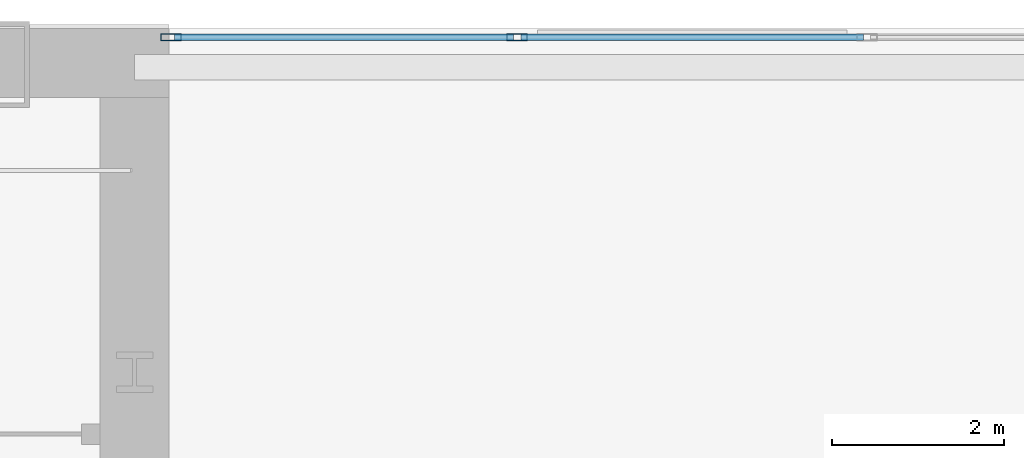
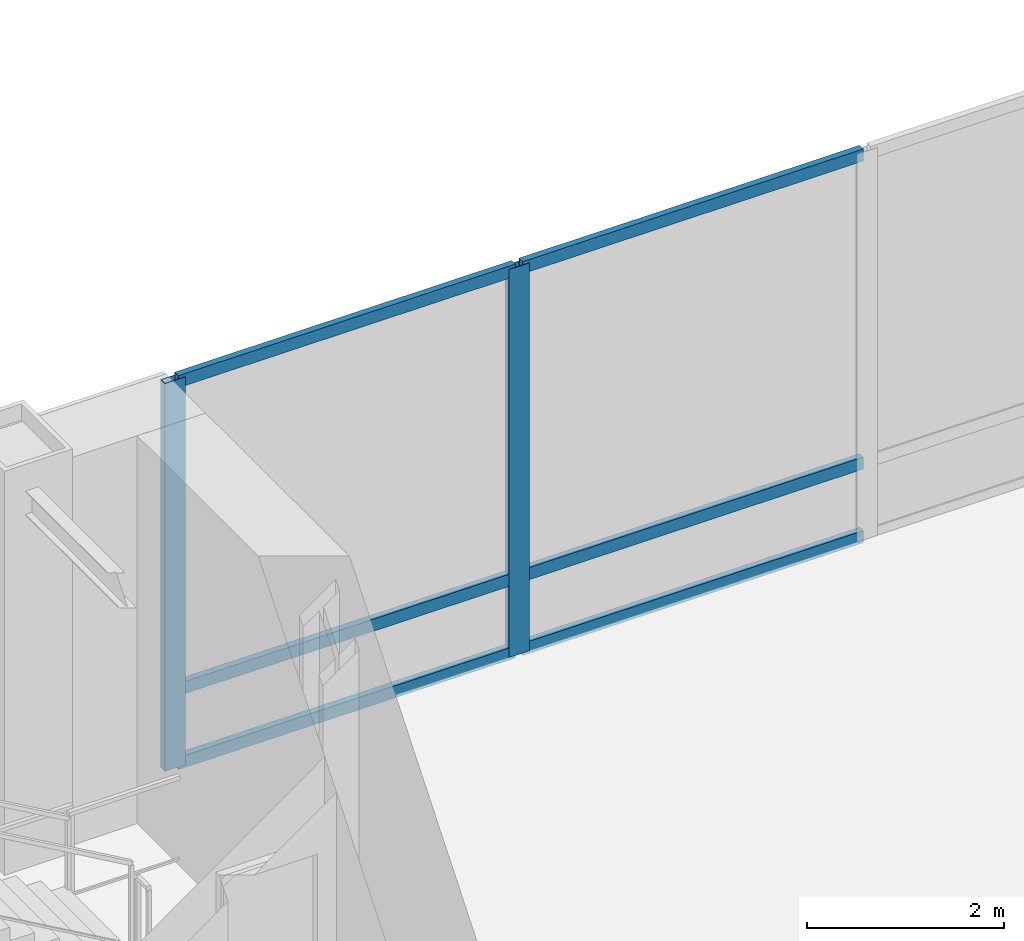
# One storey, part 14 of 26: 8 members, 1 element without a shape of its own.
"""IFC4 building model written with IfcOpenShell, lengths in metres."""

from ifc_helpers import new_model, si_unit, direction, frame, origin, origin_2d, place, context, subcontext, project, spatial, hollow_rectangle, extrude, material, material_profile, profile_set, type_object, element, aggregate, save


model = new_model("IFC4")

# Units and contexts
model_context = context("Model", 3, precision=1e-05, world=origin(), true_north=direction((0.0, 1.0)))
body_context = subcontext(model_context, "Body", "Model", "MODEL_VIEW")
ifc_project = project(units=[si_unit("LENGTHUNIT", "METRE"), si_unit("AREAUNIT", "SQUARE_METRE"), si_unit("VOLUMEUNIT", "CUBIC_METRE"), si_unit("PLANEANGLEUNIT", "RADIAN"), si_unit("MASSUNIT", "GRAM", prefix="KILO")], contexts=[model_context])

# Site, building, storey
site_placement = place(None, origin())
site = spatial("IfcSite", under=ifc_project, at=site_placement, CompositionType="ELEMENT")
building_placement = place(site_placement, origin())
building = spatial("IfcBuilding", under=site, at=building_placement, Name="Khoronbel Lancet Exchange", CompositionType="ELEMENT")
storey_placement = place(building_placement, frame((0.0, 0.0, 5.39990234375)))
storey = spatial("IfcBuildingStorey", under=building, at=storey_placement, Name="L01", CompositionType="ELEMENT", Elevation=5.39990234375)

# Curtain wall, members
ifc_material_1 = material(Name="Low-E Solar Control Insulating Glass", Category="glass")
curtain_wall_type = type_object("IfcCurtainWallType", Name="CW-5", PredefinedType="NOTDEFINED", material=ifc_material_1)
curtain_wall_placement = place(storey_placement, origin())
curtain_wall = element("IfcCurtainWall", 1, at=curtain_wall_placement, inside=storey, type_object=curtain_wall_type, Name="Unitised curtain wall CW-L01-NE", PredefinedType="NOTDEFINED")
ifc_material_2 = material(Name="Bronze-Anodised Aluminium 6063-T6", Category="aluminium")
ifc_material_profile_1 = material_profile(ifc_material_2, hollow_rectangle(XDim=0.0849609375, YDim=0.239990234375, WallThickness=0.006103515625, at=origin_2d()), Name="ALU MULLION 85x240")
ifc_profile_set_1 = profile_set([ifc_material_profile_1], Name="Bronze-Anodised Aluminium 6063-T6")
member_type_1 = type_object("IfcMemberType", Name="MEM-CWM1", PredefinedType="MULLION", material=ifc_profile_set_1)
member_1_placement = place(storey_placement, frame((56.722412109375, 53.60009765625, 0.0), z_axis=(0.0, 0.0, 1.0), x_axis=(0.0, 1.0, 0.0)))
member_1 = element("IfcMember", 2, at=member_1_placement, type_object=member_type_1, Name="CW5 mullion 1", PredefinedType="MULLION", context=body_context, shape_type="SweptSolid", body=[
    extrude(hollow_rectangle(XDim=0.0849609375, YDim=0.239990234375, WallThickness=0.006103515625, at=origin_2d()), origin(), (0.0, 0.0, 1.0), 4.800048828125),
])
member_2_placement = place(storey_placement, frame((60.75341796875, 53.60009765625, 0.0), z_axis=(0.0, 0.0, 1.0), x_axis=(0.0, 1.0, 0.0)))
member_2 = element("IfcMember", 3, at=member_2_placement, type_object=member_type_1, Name="CW5 mullion 2", PredefinedType="MULLION", context=body_context, shape_type="SweptSolid", body=[
    extrude(hollow_rectangle(XDim=0.0849609375, YDim=0.239990234375, WallThickness=0.006103515625, at=origin_2d()), origin(), (0.0, 0.0, 1.0), 4.800048828125),
])
ifc_material_profile_2 = material_profile(ifc_material_2, hollow_rectangle(XDim=0.074951171875, YDim=0.14990234375, WallThickness=0.00439453125, at=origin_2d()), Name="ALU TRANSOM 75x150")
ifc_profile_set_2 = profile_set([ifc_material_profile_2], Name="Bronze-Anodised Aluminium 6063-T6")
member_type_2 = type_object("IfcMemberType", Name="MEM-CWT2", PredefinedType="USERDEFINED", material=ifc_profile_set_2)
member_3_placement = place(storey_placement, frame((56.764892578125, 53.60009765625, 0.03759765625), z_axis=(1.0, 0.0, 0.0), x_axis=(0.0, 1.0, 0.0)))
member_3 = element("IfcMember", 4, at=member_3_placement, type_object=member_type_2, Name="CW5 transom 1.1", ObjectType="TRANSOM", PredefinedType="USERDEFINED", context=body_context, shape_type="SweptSolid", body=[
    extrude(hollow_rectangle(XDim=0.074951171875, YDim=0.14990234375, WallThickness=0.00439453125, at=origin_2d()), origin(), (0.0, 0.0, 1.0), 3.946044921875),
])
member_4_placement = place(storey_placement, frame((56.764892578125, 53.60009765625, 0.9501953125), z_axis=(1.0, 0.0, 0.0), x_axis=(0.0, 1.0, 0.0)))
member_4 = element("IfcMember", 5, at=member_4_placement, type_object=member_type_2, Name="CW5 transom 1.2", ObjectType="TRANSOM", PredefinedType="USERDEFINED", context=body_context, shape_type="SweptSolid", body=[
    extrude(hollow_rectangle(XDim=0.074951171875, YDim=0.14990234375, WallThickness=0.00439453125, at=origin_2d()), origin(), (0.0, 0.0, 1.0), 3.946044921875),
])
member_5_placement = place(storey_placement, frame((56.764892578125, 53.60009765625, 4.7626953125), z_axis=(1.0, 0.0, 0.0), x_axis=(0.0, 1.0, 0.0)))
member_5 = element("IfcMember", 6, at=member_5_placement, type_object=member_type_2, Name="CW5 transom 1.3", ObjectType="TRANSOM", PredefinedType="USERDEFINED", context=body_context, shape_type="SweptSolid", body=[
    extrude(hollow_rectangle(XDim=0.074951171875, YDim=0.14990234375, WallThickness=0.00439453125, at=origin_2d()), origin(), (0.0, 0.0, 1.0), 3.946044921875),
])
member_6_placement = place(storey_placement, frame((60.7958984375, 53.60009765625, 0.03759765625), z_axis=(1.0, 0.0, 0.0), x_axis=(0.0, 1.0, 0.0)))
member_6 = element("IfcMember", 7, at=member_6_placement, type_object=member_type_2, Name="CW5 transom 2.1", ObjectType="TRANSOM", PredefinedType="USERDEFINED", context=body_context, shape_type="SweptSolid", body=[
    extrude(hollow_rectangle(XDim=0.074951171875, YDim=0.14990234375, WallThickness=0.00439453125, at=origin_2d()), origin(), (0.0, 0.0, 1.0), 3.98828125),
])
member_7_placement = place(storey_placement, frame((60.7958984375, 53.60009765625, 0.9501953125), z_axis=(1.0, 0.0, 0.0), x_axis=(0.0, 1.0, 0.0)))
member_7 = element("IfcMember", 8, at=member_7_placement, type_object=member_type_2, Name="CW5 transom 2.2", ObjectType="TRANSOM", PredefinedType="USERDEFINED", context=body_context, shape_type="SweptSolid", body=[
    extrude(hollow_rectangle(XDim=0.074951171875, YDim=0.14990234375, WallThickness=0.00439453125, at=origin_2d()), origin(), (0.0, 0.0, 1.0), 3.98828125),
])
member_8_placement = place(storey_placement, frame((60.7958984375, 53.60009765625, 4.7626953125), z_axis=(1.0, 0.0, 0.0), x_axis=(0.0, 1.0, 0.0)))
member_8 = element("IfcMember", 9, at=member_8_placement, type_object=member_type_2, Name="CW5 transom 2.3", ObjectType="TRANSOM", PredefinedType="USERDEFINED", context=body_context, shape_type="SweptSolid", body=[
    extrude(hollow_rectangle(XDim=0.074951171875, YDim=0.14990234375, WallThickness=0.00439453125, at=origin_2d()), origin(), (0.0, 0.0, 1.0), 3.98828125),
])
aggregate(curtain_wall, [member_1, member_2, member_3, member_4, member_5, member_6, member_7, member_8])

save(model, "model.ifc")
